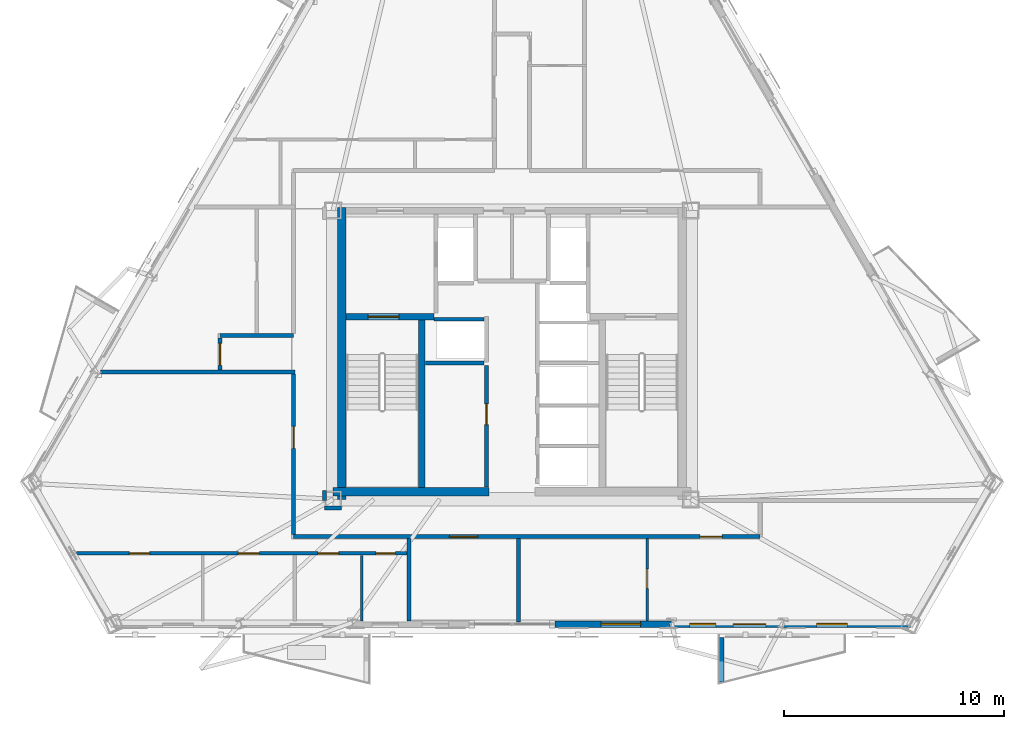
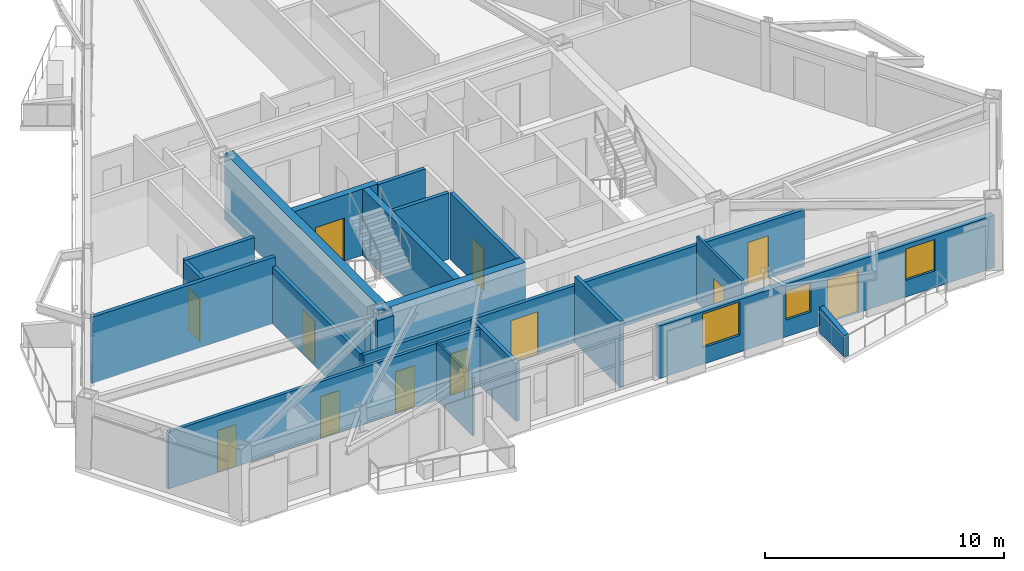
# One storey, part 6 of 13: 21 walls, 12 doors, 3 windows, 15 openings.
"""IFC4 building model written with IfcOpenShell, lengths in metres."""

from ifc_helpers import new_model, si_unit, direction, frame, frame_2d, origin, place, context, subcontext, project, spatial, polyline, rectangle, outline, extrude, material, layer, layer_set, type_object, element, fill, save


model = new_model("IFC4")

# Units and contexts
model_context = context("Model", 3, precision=1e-05, world=origin(), true_north=direction((0.0, 1.0)))
body_context = subcontext(model_context, "Body", "Model", "MODEL_VIEW")
ifc_project = project(units=[si_unit("LENGTHUNIT", "METRE"), si_unit("AREAUNIT", "SQUARE_METRE"), si_unit("VOLUMEUNIT", "CUBIC_METRE"), si_unit("PLANEANGLEUNIT", "RADIAN"), si_unit("MASSUNIT", "GRAM", prefix="KILO")], contexts=[model_context])

# Site, building, storey
site_placement = place(None, origin())
site = spatial("IfcSite", under=ifc_project, at=site_placement, CompositionType="ELEMENT")
building_placement = place(site_placement, origin())
building = spatial("IfcBuilding", under=site, at=building_placement, Name="Oramaril Tower", CompositionType="ELEMENT")
storey_placement = place(building_placement, frame((0.0, 0.0, 197.39990234375)))
storey = spatial("IfcBuildingStorey", under=building, at=storey_placement, Name="L52", CompositionType="ELEMENT", Elevation=197.39990234375)

# Wall, openings, door, windows
ifc_material_1 = material(Name="Warm Cream Limestone", Category="masonry")
ifc_layer_1 = layer(ifc_material_1, 0.2900390625)
ifc_layer_set_1 = layer_set([ifc_layer_1], Name="WT-EXT29")
wall_type_1 = type_object("IfcWallType", Name="WT-EXT29", PredefinedType="SOLIDWALL", material=ifc_layer_set_1)
wall_1_placement = place(storey_placement, frame((39.449951171875, 5.3115234375, 0.0), z_axis=(0.0, 0.0, 1.0), x_axis=(1.0, 0.0, 0.0)))
wall_1 = element("IfcWall", 1, at=wall_1_placement, inside=storey, type_object=wall_type_1, Name="L52 Tower Limestone Facade Wall 2R", PredefinedType="SOLIDWALL", context=body_context, shape_type="SweptSolid", body=[
    extrude(rectangle(XDim=16.19677734375, YDim=0.2900390625, at=frame_2d((8.098388671875, 0.0))), origin(), (0.0, 0.0, 1.0), 2.677001953125),
])
opening_1_placement = place(wall_1_placement, frame((8.117431640625, 0.0, 0.0)))
opening_1 = element("IfcOpeningElement", 2, at=opening_1_placement, cuts=wall_1, Name="Opening D-L52-BAL-S2", PredefinedType="OPENING", context=body_context, shape_type="SweptSolid", body=[
    extrude(rectangle(XDim=1.5, YDim=2.199951171875, at=frame_2d((0.75, 1.10009765625))), frame((0.0, 0.14501953125, 0.0), z_axis=(0.0, -1.0, 0.0), x_axis=(1.0, 0.0, 0.0)), (0.0, 0.0, 1.0), 0.2900390625),
])
opening_2_placement = place(wall_1_placement, frame((6.136962890625, 0.0, 0.85009765625)))
opening_2 = element("IfcOpeningElement", 3, at=opening_2_placement, cuts=wall_1, Name="Opening WN-09", PredefinedType="OPENING", context=body_context, shape_type="SweptSolid", body=[
    extrude(rectangle(XDim=1.199951171875, YDim=1.47998046875, at=frame_2d((0.60009765625, 0.739990234375))), frame((0.0, 0.14501953125, 0.0), z_axis=(0.0, -1.0, 0.0), x_axis=(1.0, 0.0, 0.0)), (0.0, 0.0, 1.0), 0.2900390625),
])
opening_3_placement = place(wall_1_placement, frame((11.924560546875, 0.0, 0.85009765625)))
opening_3 = element("IfcOpeningElement", 4, at=opening_3_placement, cuts=wall_1, Name="Opening WN-08", PredefinedType="OPENING", context=body_context, shape_type="SweptSolid", body=[
    extrude(rectangle(XDim=1.39990234375, YDim=1.60009765625, at=frame_2d((0.699951171875, 0.800048828125))), frame((0.0, 0.14501953125, 0.0), z_axis=(0.0, -1.0, 0.0), x_axis=(1.0, 0.0, 0.0)), (0.0, 0.0, 1.0), 0.2900390625),
])
opening_4_placement = place(wall_1_placement, frame((2.106201171875, 0.0, 0.85009765625)))
opening_4 = element("IfcOpeningElement", 5, at=opening_4_placement, cuts=wall_1, Name="Opening WN-06", PredefinedType="OPENING", context=body_context, shape_type="SweptSolid", body=[
    extrude(rectangle(XDim=1.800048828125, YDim=1.717041015625, at=frame_2d((0.89990234375, 0.8583984375))), frame((0.0, 0.14501953125, 0.0), z_axis=(0.0, -1.0, 0.0), x_axis=(1.0, 0.0, 0.0)), (0.0, 0.0, 1.0), 0.2900390625),
])
ifc_material_2 = material(Name="Anodised Aluminium 6063-T6", Category="aluminium")
door_type_1 = type_object("IfcDoorType", Name="DT-BAL", OperationType="NOTDEFINED", PredefinedType="DOOR", material=ifc_material_2)
door_1_placement = place(opening_1_placement, origin())
door_1 = element("IfcDoor", 6, at=door_1_placement, inside=storey, type_object=door_type_1, Name="L52 Balcony Glazed Door L52-BAL-S2", OperationType="SINGLE_SWING_RIGHT", OverallHeight=2.199951171875, OverallWidth=1.5, PredefinedType="DOOR", context=body_context, shape_type="SweptSolid", body=[
    extrude(rectangle(XDim=1.5, YDim=2.199951171875, at=frame_2d((0.75, 1.10009765625))), frame((0.0, 0.02490234375, 0.0), z_axis=(0.0, -1.0, 0.0), x_axis=(1.0, 0.0, 0.0)), (0.0, 0.0, 1.0), 0.050048828125),
])
fill(opening_1, door_1)
ifc_material_3 = material(Name="Coastal Low-E Insulated Glass", Category="glass")
window_type_1 = type_object("IfcWindowType", Name="WNT-06", PartitioningType="SINGLE_PANEL", PredefinedType="WINDOW", material=ifc_material_3)
window_1_placement = place(opening_4_placement, origin())
window_1 = element("IfcWindow", 7, at=window_1_placement, inside=storey, type_object=window_type_1, Name="L52 Chicago Bay Window WN-06", OverallHeight=1.717041015625, OverallWidth=1.800048828125, PartitioningType="SINGLE_PANEL", PredefinedType="WINDOW", context=body_context, shape_type="SweptSolid", body=[
    extrude(rectangle(XDim=1.800048828125, YDim=1.717041015625, at=frame_2d((0.89990234375, 0.8583984375))), frame((0.0, 0.030029296875, 0.0), z_axis=(0.0, -1.0, 0.0), x_axis=(1.0, 0.0, 0.0)), (0.0, 0.0, 1.0), 0.06005859375),
])
fill(opening_4, window_1)
ifc_material_4 = material(Name="Coastal Low-E Insulated Glass", Category="glass")
window_type_2 = type_object("IfcWindowType", Name="WNT-08", PartitioningType="SINGLE_PANEL", PredefinedType="WINDOW", material=ifc_material_4)
window_2_placement = place(opening_3_placement, origin())
window_2 = element("IfcWindow", 8, at=window_2_placement, inside=storey, type_object=window_type_2, Name="L52 Chicago Bay Window WN-08", OverallHeight=1.60009765625, OverallWidth=1.39990234375, PartitioningType="SINGLE_PANEL", PredefinedType="WINDOW", context=body_context, shape_type="SweptSolid", body=[
    extrude(rectangle(XDim=1.39990234375, YDim=1.60009765625, at=frame_2d((0.699951171875, 0.800048828125))), frame((0.0, 0.030029296875, 0.0), z_axis=(0.0, -1.0, 0.0), x_axis=(1.0, 0.0, 0.0)), (0.0, 0.0, 1.0), 0.06005859375),
])
fill(opening_3, window_2)
ifc_material_5 = material(Name="Coastal Low-E Insulated Glass", Category="glass")
window_type_3 = type_object("IfcWindowType", Name="WNT-09", PartitioningType="SINGLE_PANEL", PredefinedType="WINDOW", material=ifc_material_5)
window_3_placement = place(opening_2_placement, origin())
window_3 = element("IfcWindow", 9, at=window_3_placement, inside=storey, type_object=window_type_3, Name="L52 Chicago Bay Window WN-09", OverallHeight=1.47998046875, OverallWidth=1.199951171875, PartitioningType="SINGLE_PANEL", PredefinedType="WINDOW", context=body_context, shape_type="SweptSolid", body=[
    extrude(rectangle(XDim=1.199951171875, YDim=1.47998046875, at=frame_2d((0.60009765625, 0.739990234375))), frame((0.0, 0.030029296875, 0.0), z_axis=(0.0, -1.0, 0.0), x_axis=(1.0, 0.0, 0.0)), (0.0, 0.0, 1.0), 0.06005859375),
])
fill(opening_2, window_3)

# Walls
ifc_material_6 = material(Name="Concrete C40/50", Category="concrete")
ifc_layer_2 = layer(ifc_material_6, 0.22998046875)
ifc_layer_set_2 = layer_set([ifc_layer_2], Name="WT-PRP23")
wall_type_2 = type_object("IfcWallType", Name="WT-PRP23", PredefinedType="PARAPET", material=ifc_layer_set_2)
wall_2_placement = place(storey_placement, frame((47.04248046875, 4.71337890625, 0.0), z_axis=(0.0, 0.0, 1.0), x_axis=(0.0, -1.0, 0.0)))
element("IfcWall", 10, at=wall_2_placement, inside=storey, type_object=wall_type_2, Name="L52 Trapezoidal Balcony Frame Cheek L52-BAL-S2-L", PredefinedType="PARAPET", context=body_context, shape_type="SweptSolid", body=[
    extrude(outline(polyline([(0.0, 0.0), (2.0419921875, 0.0), (2.0419921875, 1.10009765625), (0.0, 1.320068359375), (0.0, 0.0)])), frame((0.0, 0.114990234375, 0.0), z_axis=(0.0, -1.0, 0.0), x_axis=(1.0, 0.0, 0.0)), (0.0, 0.0, 1.0), 0.22998046875),
])
ifc_material_7 = material(Name="Acoustic Gypsum Board Partition")
ifc_layer_3 = layer(ifc_material_7, 0.10009765625)
ifc_layer_set_3 = layer_set([ifc_layer_3], Name="WT-PT10")
wall_type_3 = type_object("IfcWallType", Name="WT-PT10", PredefinedType="PARTITIONING", material=ifc_layer_set_3)
wall_3_placement = place(storey_placement, frame((30.659912109375, 5.46044921875, 0.0), z_axis=(0.0, 0.0, 1.0), x_axis=(0.0, 1.0, 0.0)))
element("IfcWall", 11, at=wall_3_placement, inside=storey, type_object=wall_type_3, Name="L52 Interior Partition PT-10", PredefinedType="PARTITIONING", context=body_context, shape_type="SweptSolid", body=[
    extrude(rectangle(XDim=2.985595703125, YDim=0.10009765625, at=frame_2d((1.49267578125, 0.0))), origin(), (0.0, 0.0, 1.0), 2.966064453125),
])

# Wall, opening, door
ifc_material_8 = material(Name="Acoustic Gypsum Board Partition")
ifc_layer_4 = layer(ifc_material_8, 0.1201171875)
ifc_layer_set_4 = layer_set([ifc_layer_4], Name="WT-PT12")
wall_type_4 = type_object("IfcWallType", Name="WT-PT12", PredefinedType="PARTITIONING", material=ifc_layer_set_4)
wall_4_placement = place(storey_placement, frame((43.659912109375, 5.46044921875, 0.0), z_axis=(0.0, 0.0, 1.0), x_axis=(0.0, 1.0, 0.0)))
wall_4 = element("IfcWall", 12, at=wall_4_placement, inside=storey, type_object=wall_type_4, Name="L52 Interior Partition PT-12", PredefinedType="PARTITIONING", context=body_context, shape_type="SweptSolid", body=[
    extrude(rectangle(XDim=3.74560546875, YDim=0.1201171875, at=frame_2d((1.872802734375, 0.0))), origin(), (0.0, 0.0, 1.0), 3.380126953125),
])
opening_5_placement = place(wall_4_placement, frame((1.480224609375, 0.0, 0.0)))
opening_5 = element("IfcOpeningElement", 13, at=opening_5_placement, cuts=wall_4, Name="Opening D-L52-18", PredefinedType="OPENING", context=body_context, shape_type="SweptSolid", body=[
    extrude(rectangle(XDim=0.8798828125, YDim=2.080078125, at=frame_2d((0.43994140625, 1.0400390625))), frame((0.0, 0.06005859375, 0.0), z_axis=(0.0, -1.0, 0.0), x_axis=(1.0, 0.0, 0.0)), (0.0, 0.0, 1.0), 0.1201171875),
])
ifc_material_9 = material(Name="FSC Brazilian Freijo Hardwood", Category="wood")
door_type_2 = type_object("IfcDoorType", Name="DT-BATH", OperationType="NOTDEFINED", PredefinedType="DOOR", material=ifc_material_9)
door_2_placement = place(opening_5_placement, origin())
door_2 = element("IfcDoor", 14, at=door_2_placement, inside=storey, type_object=door_type_2, Name="L52 Flat L52-U1 Bathroom Door D-L52-18", OperationType="SINGLE_SWING_RIGHT", OverallHeight=2.080078125, OverallWidth=0.8798828125, PredefinedType="DOOR", context=body_context, shape_type="SweptSolid", body=[
    extrude(rectangle(XDim=0.8798828125, YDim=2.080078125, at=frame_2d((0.43994140625, 1.0400390625))), frame((0.0, 0.02490234375, 0.0), z_axis=(0.0, -1.0, 0.0), x_axis=(1.0, 0.0, 0.0)), (0.0, 0.0, 1.0), 0.050048828125),
])
fill(opening_5, door_2)

# Wall, openings, doors
ifc_material_10 = material(Name="Acoustic Gypsum Board Partition")
ifc_layer_5 = layer(ifc_material_10, 0.159912109375)
ifc_layer_set_5 = layer_set([ifc_layer_5], Name="WT-PT16")
wall_type_5 = type_object("IfcWallType", Name="WT-PT16", PredefinedType="PARTITIONING", material=ifc_layer_set_5)
wall_5_placement = place(storey_placement, frame((17.6669921875, 8.530029296875, 0.0), z_axis=(0.0, 0.0, 1.0), x_axis=(1.0, 0.0, 0.0)))
wall_5 = element("IfcWall", 15, at=wall_5_placement, inside=storey, type_object=wall_type_5, Name="L52 Interior Partition PT-16", PredefinedType="PARTITIONING", context=body_context, shape_type="SweptSolid", body=[
    extrude(rectangle(XDim=15.18310546875, YDim=0.159912109375, at=frame_2d((7.591552734375, 0.0))), origin(), (0.0, 0.0, 1.0), 2.9130859375),
])
opening_6_placement = place(wall_5_placement, frame((2.40087890625, 0.0, 0.0)))
opening_6 = element("IfcOpeningElement", 16, at=opening_6_placement, cuts=wall_5, Name="Opening D-L52-01", PredefinedType="OPENING", context=body_context, shape_type="SweptSolid", body=[
    extrude(rectangle(XDim=0.919921875, YDim=2.1201171875, at=frame_2d((0.4599609375, 1.06005859375))), frame((0.0, 0.080078125, 0.0), z_axis=(0.0, -1.0, 0.0), x_axis=(1.0, 0.0, 0.0)), (0.0, 0.0, 1.0), 0.159912109375),
])
opening_7_placement = place(wall_5_placement, frame((7.3701171875, 0.0, 0.0)))
opening_7 = element("IfcOpeningElement", 17, at=opening_7_placement, cuts=wall_5, Name="Opening D-L52-02", PredefinedType="OPENING", context=body_context, shape_type="SweptSolid", body=[
    extrude(rectangle(XDim=0.949951171875, YDim=2.10009765625, at=frame_2d((0.47509765625, 1.050048828125))), frame((0.0, 0.080078125, 0.0), z_axis=(0.0, -1.0, 0.0), x_axis=(1.0, 0.0, 0.0)), (0.0, 0.0, 1.0), 0.159912109375),
])
opening_8_placement = place(wall_5_placement, frame((10.98828125, 0.0, 0.0)))
opening_8 = element("IfcOpeningElement", 18, at=opening_8_placement, cuts=wall_5, Name="Opening D-L52-03", PredefinedType="OPENING", context=body_context, shape_type="SweptSolid", body=[
    extrude(rectangle(XDim=0.949951171875, YDim=2.10009765625, at=frame_2d((0.47509765625, 1.050048828125))), frame((0.0, 0.080078125, 0.0), z_axis=(0.0, -1.0, 0.0), x_axis=(1.0, 0.0, 0.0)), (0.0, 0.0, 1.0), 0.159912109375),
])
opening_9_placement = place(wall_5_placement, frame((13.6357421875, 0.0, 0.0)))
opening_9 = element("IfcOpeningElement", 19, at=opening_9_placement, cuts=wall_5, Name="Opening D-L52-04", PredefinedType="OPENING", context=body_context, shape_type="SweptSolid", body=[
    extrude(rectangle(XDim=0.8798828125, YDim=2.080078125, at=frame_2d((0.43994140625, 1.0400390625))), frame((0.0, 0.080078125, 0.0), z_axis=(0.0, -1.0, 0.0), x_axis=(1.0, 0.0, 0.0)), (0.0, 0.0, 1.0), 0.159912109375),
])
door_3_placement = place(opening_9_placement, origin())
door_3 = element("IfcDoor", 20, at=door_3_placement, inside=storey, type_object=door_type_2, Name="L52 Flat L52-U2 Bathroom Door D-L52-04", OperationType="SINGLE_SWING_RIGHT", OverallHeight=2.080078125, OverallWidth=0.8798828125, PredefinedType="DOOR", context=body_context, shape_type="SweptSolid", body=[
    extrude(rectangle(XDim=0.8798828125, YDim=2.080078125, at=frame_2d((0.43994140625, 1.0400390625))), frame((0.0, 0.02490234375, 0.0), z_axis=(0.0, -1.0, 0.0), x_axis=(1.0, 0.0, 0.0)), (0.0, 0.0, 1.0), 0.050048828125),
])
fill(opening_9, door_3)
ifc_material_11 = material(Name="FSC Brazilian Freijo Hardwood", Category="wood")
door_type_3 = type_object("IfcDoorType", Name="DT-BED", OperationType="NOTDEFINED", PredefinedType="DOOR", material=ifc_material_11)
door_4_placement = place(opening_6_placement, origin())
door_4 = element("IfcDoor", 21, at=door_4_placement, inside=storey, type_object=door_type_3, Name="L52 Flat L52-U2 Master Bedroom Door D-L52-01", OperationType="SINGLE_SWING_LEFT", OverallHeight=2.1201171875, OverallWidth=0.919921875, PredefinedType="DOOR", context=body_context, shape_type="SweptSolid", body=[
    extrude(rectangle(XDim=0.919921875, YDim=2.1201171875, at=frame_2d((0.4599609375, 1.06005859375))), frame((0.0, 0.02490234375, 0.0), z_axis=(0.0, -1.0, 0.0), x_axis=(1.0, 0.0, 0.0)), (0.0, 0.0, 1.0), 0.050048828125),
])
fill(opening_6, door_4)
ifc_material_12 = material(Name="FSC Brazilian Freijo Hardwood", Category="wood")
door_type_4 = type_object("IfcDoorType", Name="DT-STDY", OperationType="NOTDEFINED", PredefinedType="DOOR", material=ifc_material_12)
door_5_placement = place(opening_7_placement, origin())
door_5 = element("IfcDoor", 22, at=door_5_placement, inside=storey, type_object=door_type_4, Name="L52 Flat L52-U2 Dining Room Door D-L52-02", OperationType="SINGLE_SWING_RIGHT", OverallHeight=2.10009765625, OverallWidth=0.949951171875, PredefinedType="DOOR", context=body_context, shape_type="SweptSolid", body=[
    extrude(rectangle(XDim=0.949951171875, YDim=2.10009765625, at=frame_2d((0.47509765625, 1.050048828125))), frame((0.0, 0.02490234375, 0.0), z_axis=(0.0, -1.0, 0.0), x_axis=(1.0, 0.0, 0.0)), (0.0, 0.0, 1.0), 0.050048828125),
])
fill(opening_7, door_5)
door_6_placement = place(opening_8_placement, origin())
door_6 = element("IfcDoor", 23, at=door_6_placement, inside=storey, type_object=door_type_4, Name="L52 Flat L52-U2 Kitchen Door D-L52-03", OperationType="SINGLE_SWING_LEFT", OverallHeight=2.10009765625, OverallWidth=0.949951171875, PredefinedType="DOOR", context=body_context, shape_type="SweptSolid", body=[
    extrude(rectangle(XDim=0.949951171875, YDim=2.10009765625, at=frame_2d((0.47509765625, 1.050048828125))), frame((0.0, 0.02490234375, 0.0), z_axis=(0.0, -1.0, 0.0), x_axis=(1.0, 0.0, 0.0)), (0.0, 0.0, 1.0), 0.050048828125),
])
fill(opening_8, door_6)

# Walls
ifc_material_13 = material(Name="Autoclaved Cellular Concrete Block", Category="concrete")
ifc_layer_6 = layer(ifc_material_13, 0.179931640625)
ifc_layer_set_6 = layer_set([ifc_layer_6], Name="WT-PT18")
wall_type_6 = type_object("IfcWallType", Name="WT-PT18", PredefinedType="PARTITIONING", material=ifc_layer_set_6)
wall_6_placement = place(storey_placement, frame((33.949951171875, 19.199951171875, 0.0), z_axis=(0.0, 0.0, 1.0), x_axis=(1.0, 0.0, 0.0)))
element("IfcWall", 24, at=wall_6_placement, inside=storey, type_object=wall_type_6, Name="L52 High-Rise Lift H1 North Shaft Wall", PredefinedType="PARTITIONING", context=body_context, shape_type="SweptSolid", body=[
    extrude(rectangle(XDim=2.27001953125, YDim=0.179931640625, at=frame_2d((1.135009765625, 0.0))), origin(), (0.0, 0.0, 1.0), 3.380126953125),
])
wall_7_placement = place(storey_placement, frame((33.56005859375, 17.199951171875, 0.0), z_axis=(0.0, 0.0, 1.0), x_axis=(1.0, 0.0, 0.0)))
element("IfcWall", 25, at=wall_7_placement, inside=storey, type_object=wall_type_6, Name="L52 High-Rise Lift H1 South Wall", PredefinedType="PARTITIONING", context=body_context, shape_type="SweptSolid", body=[
    extrude(rectangle(XDim=2.659912109375, YDim=0.179931640625, at=frame_2d((1.330078125, 0.0))), origin(), (0.0, 0.0, 1.0), 3.380126953125),
])

# Wall, opening, door
wall_8_placement = place(storey_placement, frame((36.340087890625, 11.550048828125, 0.0), z_axis=(0.0, 0.0, 1.0), x_axis=(0.0, 1.0, 0.0)))
wall_8 = element("IfcWall", 26, at=wall_8_placement, inside=storey, type_object=wall_type_6, Name="L52 Freed Shaft Study East Wall", PredefinedType="PARTITIONING", context=body_context, shape_type="SweptSolid", body=[
    extrude(rectangle(XDim=5.550048828125, YDim=0.179931640625, at=frame_2d((2.77490234375, 0.0))), origin(), (0.0, 0.0, 1.0), 3.380126953125),
])
opening_10_placement = place(wall_8_placement, frame((2.85009765625, 0.0, 0.0)))
opening_10 = element("IfcOpeningElement", 27, at=opening_10_placement, cuts=wall_8, Name="Opening D-L52-FL1", PredefinedType="OPENING", context=body_context, shape_type="SweptSolid", body=[
    extrude(rectangle(XDim=0.949951171875, YDim=2.10009765625, at=frame_2d((0.47509765625, 1.050048828125))), frame((0.0, 0.08984375, 0.0), z_axis=(0.0, -1.0, 0.0), x_axis=(1.0, 0.0, 0.0)), (0.0, 0.0, 1.0), 0.179931640625),
])
door_7_placement = place(opening_10_placement, origin())
door_7 = element("IfcDoor", 28, at=door_7_placement, inside=storey, type_object=door_type_4, Name="L52 L52 Residents Study Alcove Door", OperationType="SINGLE_SWING_LEFT", OverallHeight=2.10009765625, OverallWidth=0.949951171875, PredefinedType="DOOR", context=body_context, shape_type="SweptSolid", body=[
    extrude(rectangle(XDim=0.949951171875, YDim=2.10009765625, at=frame_2d((0.47509765625, 1.050048828125))), frame((0.0, 0.02490234375, 0.0), z_axis=(0.0, -1.0, 0.0), x_axis=(1.0, 0.0, 0.0)), (0.0, 0.0, 1.0), 0.050048828125),
])
fill(opening_10, door_7)

# Wall, openings, doors
wall_9_placement = place(storey_placement, frame((27.550048828125, 9.300048828125, 0.0), z_axis=(0.0, 0.0, 1.0), x_axis=(1.0, 0.0, 0.0)))
wall_9 = element("IfcWall", 29, at=wall_9_placement, inside=storey, type_object=wall_type_6, Name="L52 Interior Partition PT-18", PredefinedType="PARTITIONING", context=body_context, shape_type="SweptSolid", body=[
    extrude(rectangle(XDim=21.25, YDim=0.179931640625, at=frame_2d((10.625, 0.0))), origin(), (0.0, 0.0, 1.0), 2.9130859375),
])
opening_11_placement = place(wall_9_placement, frame((7.10009765625, 0.0, 0.0)))
opening_11 = element("IfcOpeningElement", 30, at=opening_11_placement, cuts=wall_9, Name="Opening D-L52-05", PredefinedType="OPENING", context=body_context, shape_type="SweptSolid", body=[
    extrude(rectangle(XDim=1.300048828125, YDim=2.199951171875, at=frame_2d((0.64990234375, 1.10009765625))), frame((0.0, 0.08984375, 0.0), z_axis=(0.0, -1.0, 0.0), x_axis=(1.0, 0.0, 0.0)), (0.0, 0.0, 1.0), 0.179931640625),
])
opening_12_placement = place(wall_9_placement, frame((18.520263671875, 0.0, 0.0)))
opening_12 = element("IfcOpeningElement", 31, at=opening_12_placement, cuts=wall_9, Name="Opening D-L52-06", PredefinedType="OPENING", context=body_context, shape_type="SweptSolid", body=[
    extrude(rectangle(XDim=1.0, YDim=2.179931640625, at=frame_2d((0.5, 1.08984375))), frame((0.0, 0.08984375, 0.0), z_axis=(0.0, -1.0, 0.0), x_axis=(1.0, 0.0, 0.0)), (0.0, 0.0, 1.0), 0.179931640625),
])
ifc_material_14 = material(Name="FSC Brazilian Freijo Hardwood", Category="wood")
door_type_5 = type_object("IfcDoorType", Name="DT-APT", OperationType="NOTDEFINED", PredefinedType="DOOR", material=ifc_material_14)
door_8_placement = place(opening_12_placement, origin())
door_8 = element("IfcDoor", 32, at=door_8_placement, inside=storey, type_object=door_type_5, Name="L52 Flat L52-U1 Kitchen and Studio Apartment Door D-L52-06", OperationType="SINGLE_SWING_RIGHT", OverallHeight=2.179931640625, OverallWidth=1.0, PredefinedType="DOOR", context=body_context, shape_type="SweptSolid", body=[
    extrude(rectangle(XDim=1.0, YDim=2.179931640625, at=frame_2d((0.5, 1.08984375))), frame((0.0, 0.02490234375, 0.0), z_axis=(0.0, -1.0, 0.0), x_axis=(1.0, 0.0, 0.0)), (0.0, 0.0, 1.0), 0.050048828125),
])
fill(opening_12, door_8)
ifc_material_15 = material(Name="FSC Brazilian Freijo Hardwood", Category="wood")
door_type_6 = type_object("IfcDoorType", Name="DT-COM", OperationType="NOTDEFINED", PredefinedType="DOOR", material=ifc_material_15)
door_9_placement = place(opening_11_placement, origin())
door_9 = element("IfcDoor", 33, at=door_9_placement, inside=storey, type_object=door_type_6, Name="L52 L52 Residents Floor Meeting Suite Door D-L52-05", OperationType="SINGLE_SWING_LEFT", OverallHeight=2.199951171875, OverallWidth=1.300048828125, PredefinedType="DOOR", context=body_context, shape_type="SweptSolid", body=[
    extrude(rectangle(XDim=1.300048828125, YDim=2.199951171875, at=frame_2d((0.64990234375, 1.10009765625))), frame((0.0, 0.02490234375, 0.0), z_axis=(0.0, -1.0, 0.0), x_axis=(1.0, 0.0, 0.0)), (0.0, 0.0, 1.0), 0.050048828125),
])
fill(opening_11, door_9)

# Walls
wall_10_placement = place(storey_placement, frame((28.9599609375, 10.610107421875, 0.0), z_axis=(0.0, 0.0, 1.0), x_axis=(1.0, 0.0, 0.0)))
element("IfcWall", 34, at=wall_10_placement, inside=storey, type_object=wall_type_6, Name="L52 Interior Partition PT-18", PredefinedType="PARTITIONING", context=body_context, shape_type="SweptSolid", body=[
    extrude(rectangle(XDim=0.780029296875, YDim=0.179931640625, at=frame_2d((0.39013671875, 0.0))), origin(), (0.0, 0.0, 1.0), 3.380126953125),
])
wall_11_placement = place(storey_placement, frame((18.755859375, 16.800048828125, 0.0), z_axis=(0.0, 0.0, 1.0), x_axis=(1.0, 0.0, 0.0)))
element("IfcWall", 35, at=wall_11_placement, inside=storey, type_object=wall_type_6, Name="L52 Interior Partition PT-18", PredefinedType="PARTITIONING", context=body_context, shape_type="SweptSolid", body=[
    extrude(rectangle(XDim=8.854248046875, YDim=0.179931640625, at=frame_2d((4.42724609375, 0.0))), origin(), (0.0, 0.0, 1.0), 3.380126953125),
])
wall_12_placement = place(storey_placement, frame((24.199951171875, 18.449951171875, 0.0), z_axis=(0.0, 0.0, 1.0), x_axis=(1.0, 0.0, 0.0)))
element("IfcWall", 36, at=wall_12_placement, inside=storey, type_object=wall_type_6, Name="L52 Interior Partition PT-18", PredefinedType="PARTITIONING", context=body_context, shape_type="SweptSolid", body=[
    extrude(rectangle(XDim=3.35009765625, YDim=0.179931640625, at=frame_2d((1.675048828125, 0.0))), origin(), (0.0, 0.0, 1.0), 3.380126953125),
])

# Wall, opening, door
wall_13_placement = place(storey_placement, frame((24.199951171875, 16.89404296875, 0.0), z_axis=(0.0, 0.0, 1.0), x_axis=(0.0, 1.0, 0.0)))
wall_13 = element("IfcWall", 37, at=wall_13_placement, inside=storey, type_object=wall_type_6, Name="L52 Interior Partition PT-18", PredefinedType="PARTITIONING", context=body_context, shape_type="SweptSolid", body=[
    extrude(rectangle(XDim=1.4619140625, YDim=0.179931640625, at=frame_2d((0.73095703125, 0.0))), origin(), (0.0, 0.0, 1.0), 3.380126953125),
])
opening_13_placement = place(wall_13_placement, frame((0.20263671875, 0.0, 0.0)))
opening_13 = element("IfcOpeningElement", 38, at=opening_13_placement, cuts=wall_13, Name="Opening D-L52-13", PredefinedType="OPENING", context=body_context, shape_type="SweptSolid", body=[
    extrude(rectangle(XDim=1.0, YDim=2.179931640625, at=frame_2d((0.5, 1.08984375))), frame((0.0, 0.08984375, 0.0), z_axis=(0.0, -1.0, 0.0), x_axis=(1.0, 0.0, 0.0)), (0.0, 0.0, 1.0), 0.179931640625),
])
door_10_placement = place(opening_13_placement, origin())
door_10 = element("IfcDoor", 39, at=door_10_placement, inside=storey, type_object=door_type_5, Name="L52 Flat L52-U3 Kitchen and Studio Apartment Door D-L52-13", OperationType="SINGLE_SWING_LEFT", OverallHeight=2.179931640625, OverallWidth=1.0, PredefinedType="DOOR", context=body_context, shape_type="SweptSolid", body=[
    extrude(rectangle(XDim=1.0, YDim=2.179931640625, at=frame_2d((0.5, 1.08984375))), frame((0.0, 0.02490234375, 0.0), z_axis=(0.0, -1.0, 0.0), x_axis=(1.0, 0.0, 0.0)), (0.0, 0.0, 1.0), 0.050048828125),
])
fill(opening_13, door_10)

wall_14_placement = place(storey_placement, frame((27.550048828125, 9.39404296875, 0.0), z_axis=(0.0, 0.0, 1.0), x_axis=(0.0, 1.0, 0.0)))
wall_14 = element("IfcWall", 40, at=wall_14_placement, inside=storey, type_object=wall_type_6, Name="L52 Interior Partition PT-18", PredefinedType="PARTITIONING", context=body_context, shape_type="SweptSolid", body=[
    extrude(rectangle(XDim=7.31201171875, YDim=0.179931640625, at=frame_2d((3.656005859375, 0.0))), origin(), (0.0, 0.0, 1.0), 2.9130859375),
])
opening_14_placement = place(wall_14_placement, frame((3.927490234375, 0.0, 0.0)))
opening_14 = element("IfcOpeningElement", 41, at=opening_14_placement, cuts=wall_14, Name="Opening D-L52-15", PredefinedType="OPENING", context=body_context, shape_type="SweptSolid", body=[
    extrude(rectangle(XDim=1.0, YDim=2.179931640625, at=frame_2d((0.5, 1.08984375))), frame((0.0, 0.08984375, 0.0), z_axis=(0.0, -1.0, 0.0), x_axis=(1.0, 0.0, 0.0)), (0.0, 0.0, 1.0), 0.179931640625),
])
door_11_placement = place(opening_14_placement, origin())
door_11 = element("IfcDoor", 42, at=door_11_placement, inside=storey, type_object=door_type_5, Name="L52 Flat L52-U2 Penthouse Living and Dining Room Door D-L52-15", OperationType="SINGLE_SWING_LEFT", OverallHeight=2.179931640625, OverallWidth=1.0, PredefinedType="DOOR", context=body_context, shape_type="SweptSolid", body=[
    extrude(rectangle(XDim=1.0, YDim=2.179931640625, at=frame_2d((0.5, 1.08984375))), frame((0.0, 0.02490234375, 0.0), z_axis=(0.0, -1.0, 0.0), x_axis=(1.0, 0.0, 0.0)), (0.0, 0.0, 1.0), 0.050048828125),
])
fill(opening_14, door_11)

# Walls
wall_15_placement = place(storey_placement, frame((28.949951171875, 10.949951171875, 0.0), z_axis=(0.0, 0.0, 1.0), x_axis=(0.0, 1.0, 0.0)))
element("IfcWall", 43, at=wall_15_placement, inside=storey, type_object=wall_type_6, Name="L52 Interior Partition PT-18", PredefinedType="PARTITIONING", context=body_context, shape_type="SweptSolid", body=[
    extrude(rectangle(XDim=0.445068359375, YDim=0.179931640625, at=frame_2d((0.22265625, 0.0))), origin(), (0.0, 0.0, 1.0), 2.9130859375),
])
wall_16_placement = place(storey_placement, frame((32.800048828125, 5.46044921875, 0.0), z_axis=(0.0, 0.0, 1.0), x_axis=(0.0, 1.0, 0.0)))
element("IfcWall", 44, at=wall_16_placement, inside=storey, type_object=wall_type_6, Name="L52 Interior Partition PT-18", PredefinedType="PARTITIONING", context=body_context, shape_type="SweptSolid", body=[
    extrude(rectangle(XDim=3.74560546875, YDim=0.179931640625, at=frame_2d((1.872802734375, 0.0))), origin(), (0.0, 0.0, 1.0), 2.966064453125),
])
wall_17_placement = place(storey_placement, frame((37.800048828125, 5.405517578125, 0.0), z_axis=(0.0, 0.0, 1.0), x_axis=(0.0, 1.0, 0.0)))
element("IfcWall", 45, at=wall_17_placement, inside=storey, type_object=wall_type_6, Name="L52 Interior Partition PT-18", PredefinedType="PARTITIONING", context=body_context, shape_type="SweptSolid", body=[
    extrude(rectangle(XDim=3.800537109375, YDim=0.179931640625, at=frame_2d((1.900390625, 0.0))), origin(), (0.0, 0.0, 1.0), 3.380126953125),
])

# Wall, opening, door
ifc_material_16 = material(Name="Concrete C50/60", Category="concrete")
ifc_layer_7 = layer(ifc_material_16, 0.300048828125)
ifc_layer_set_7 = layer_set([ifc_layer_7], Name="WT-SH30")
wall_type_7 = type_object("IfcWallType", Name="WT-SH30", PredefinedType="SHEAR", material=ifc_layer_set_7)
wall_18_placement = place(storey_placement, frame((29.93994140625, 19.31005859375, 0.0), z_axis=(0.0, 0.0, 1.0), x_axis=(1.0, 0.0, 0.0)))
wall_18 = element("IfcWall", 46, at=wall_18_placement, inside=storey, type_object=wall_type_7, Name="L52 Core Shear Wall CW-ST1N", PredefinedType="SHEAR", context=body_context, shape_type="SweptSolid", body=[
    extrude(rectangle(XDim=4.010009765625, YDim=0.300048828125, at=frame_2d((2.0048828125, 0.0))), origin(), (0.0, 0.0, 1.0), 3.380126953125),
])
opening_15_placement = place(wall_18_placement, frame((1.010009765625, 0.0, 0.0)))
opening_15 = element("IfcOpeningElement", 47, at=opening_15_placement, cuts=wall_18, Name="Opening D-L52-ST1", PredefinedType="OPENING", context=body_context, shape_type="SweptSolid", body=[
    extrude(rectangle(XDim=1.39990234375, YDim=2.199951171875, at=frame_2d((0.699951171875, 1.10009765625))), frame((0.0, 0.14990234375, 0.0), z_axis=(0.0, -1.0, 0.0), x_axis=(1.0, 0.0, 0.0)), (0.0, 0.0, 1.0), 0.300048828125),
])
ifc_material_17 = material(Name="Painted Galvanised Steel", Category="steel")
door_type_7 = type_object("IfcDoorType", Name="DT-ST", OperationType="NOTDEFINED", PredefinedType="DOOR", material=ifc_material_17)
door_12_placement = place(opening_15_placement, origin())
door_12 = element("IfcDoor", 48, at=door_12_placement, inside=storey, type_object=door_type_7, Name="L52 Protected Stair ST-1 Fire Door", OperationType="SINGLE_SWING_LEFT", OverallHeight=2.199951171875, OverallWidth=1.39990234375, PredefinedType="DOOR", context=body_context, shape_type="SweptSolid", body=[
    extrude(rectangle(XDim=1.39990234375, YDim=2.199951171875, at=frame_2d((0.699951171875, 1.10009765625))), frame((0.0, 0.02490234375, 0.0), z_axis=(0.0, -1.0, 0.0), x_axis=(1.0, 0.0, 0.0)), (0.0, 0.0, 1.0), 0.050048828125),
])
fill(opening_15, door_12)

# Walls
wall_19_placement = place(storey_placement, frame((33.3798828125, 11.5400390625, 0.0), z_axis=(0.0, 0.0, 1.0), x_axis=(0.0, 1.0, 0.0)))
element("IfcWall", 49, at=wall_19_placement, inside=storey, type_object=wall_type_7, Name="L52 Core Shear Wall CW-ST1E", PredefinedType="SHEAR", context=body_context, shape_type="SweptSolid", body=[
    extrude(rectangle(XDim=7.619873046875, YDim=0.300048828125, at=frame_2d((3.81005859375, 0.0))), origin(), (0.0, 0.0, 1.0), 3.380126953125),
])
ifc_material_18 = material(Name="Concrete C50/60", Category="concrete")
ifc_layer_8 = layer(ifc_material_18, 0.39990234375)
ifc_layer_set_8 = layer_set([ifc_layer_8], Name="WT-SH40")
wall_type_8 = type_object("IfcWallType", Name="WT-SH40", PredefinedType="SHEAR", material=ifc_layer_set_8)
wall_20_placement = place(storey_placement, frame((29.739990234375, 11.0, 0.0), z_axis=(0.0, 0.0, 1.0), x_axis=(0.0, 1.0, 0.0)))
element("IfcWall", 50, at=wall_20_placement, inside=storey, type_object=wall_type_8, Name="L52 Core Shear Wall CW-W", PredefinedType="SHEAR", context=body_context, shape_type="SweptSolid", body=[
    extrude(rectangle(XDim=13.300048828125, YDim=0.39990234375, at=frame_2d((6.64990234375, 0.0))), origin(), (0.0, 0.0, 1.0), 3.380126953125),
])
wall_21_placement = place(storey_placement, frame((29.35009765625, 11.340087890625, 0.0), z_axis=(0.0, 0.0, 1.0), x_axis=(1.0, 0.0, 0.0)))
element("IfcWall", 51, at=wall_21_placement, inside=storey, type_object=wall_type_8, Name="L52 Core Shear Wall CW-SW", PredefinedType="SHEAR", context=body_context, shape_type="SweptSolid", body=[
    extrude(rectangle(XDim=7.099853515625, YDim=0.39990234375, at=frame_2d((3.5498046875, 0.0))), origin(), (0.0, 0.0, 1.0), 3.380126953125),
])

save(model, "model.ifc")
